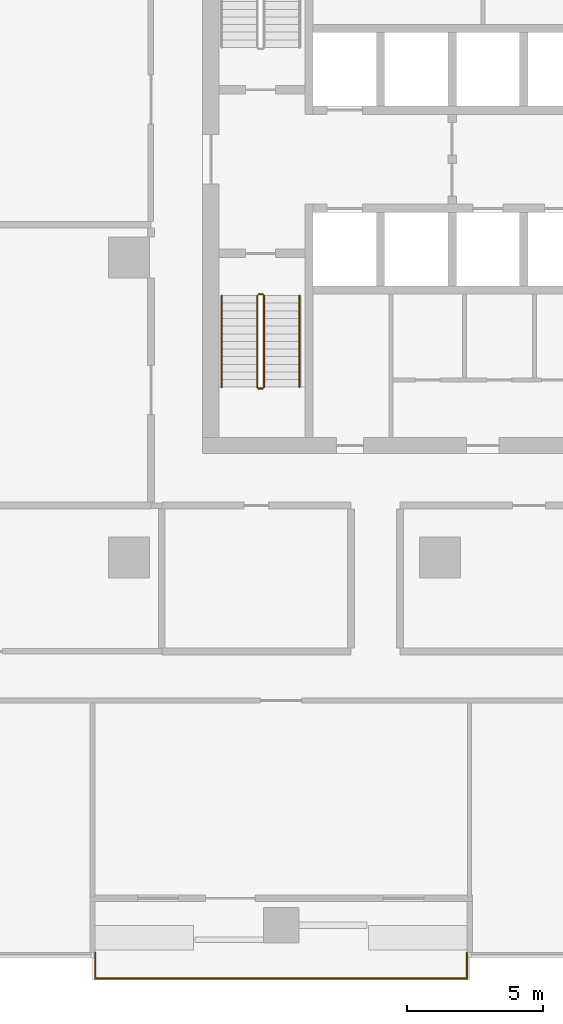
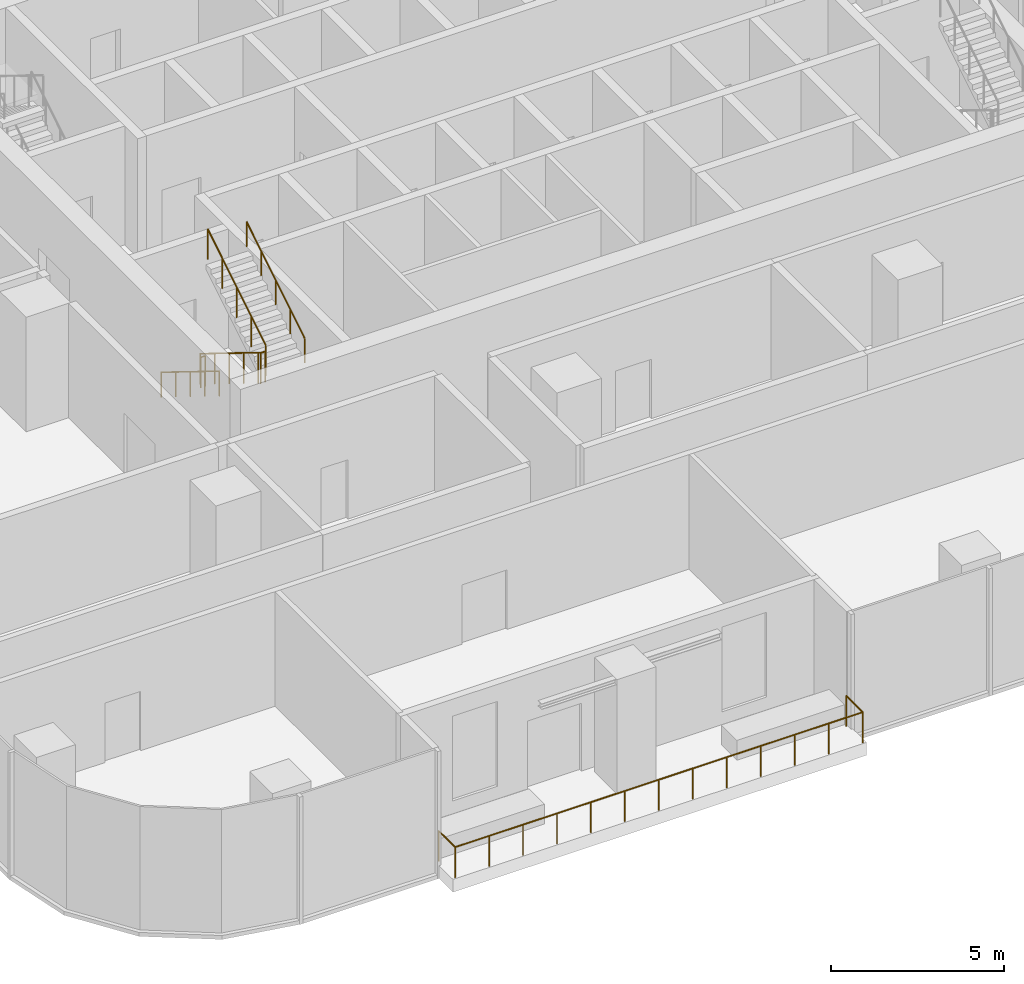
# One storey, part 12 of 14: 6 railings.
"""IFC4 building model written with IfcOpenShell, lengths in metres."""

from ifc_helpers import new_model, si_unit, direction, frame, origin, origin_2d, place, context, subcontext, project, spatial, circle, extrude, material, type_object, element, save


model = new_model("IFC4")

# Units and contexts
model_context = context("Model", 3, precision=1e-05, world=origin(), true_north=direction((0.0, 1.0)))
body_context = subcontext(model_context, "Body", "Model", "MODEL_VIEW")
ifc_project = project(units=[si_unit("LENGTHUNIT", "METRE"), si_unit("AREAUNIT", "SQUARE_METRE"), si_unit("VOLUMEUNIT", "CUBIC_METRE"), si_unit("PLANEANGLEUNIT", "RADIAN"), si_unit("MASSUNIT", "GRAM", prefix="KILO")], contexts=[model_context])

# Site, building, storey
site_placement = place(None, origin())
site = spatial("IfcSite", under=ifc_project, at=site_placement, CompositionType="ELEMENT")
building_placement = place(site_placement, origin())
building = spatial("IfcBuilding", under=site, at=building_placement, Name="Mopane Tessera Tower", CompositionType="ELEMENT")
storey_placement = place(building_placement, frame((0.0, 0.0, 130.60009765625)))
storey = spatial("IfcBuildingStorey", under=building, at=storey_placement, Name="L26", CompositionType="ELEMENT", Elevation=130.60009765625)

# Railings
ifc_material_1 = material(Name="Powder-coated steel balustrade", Category="steel")
railing_type_1 = type_object("IfcRailingType", Name="Escape stair guard 1100 mm", PredefinedType="GUARDRAIL", material=ifc_material_1)
railing_1_placement = place(storey_placement, frame((-12.39990234375, -1.39990234375, 0.173095703125)))
element("IfcRailing", 1, at=railing_1_placement, inside=storey, type_object=railing_type_1, Name="L26 ST1 stair guard 1", PredefinedType="GUARDRAIL", context=body_context, shape_type="SweptSolid", body=[
    extrude(circle(Radius=0.02392578125, at=origin_2d()), frame((0.0, 0.0, 1.076171875), z_axis=(0.0, -0.850623216509, 0.525775754039), x_axis=(1.0, 0.0, 0.0)), (0.0, 0.0, 1.0), 3.9501953125),
    extrude(circle(Radius=0.02392578125, at=origin_2d()), frame((0.0, -3.360107421875, 3.15283203125), z_axis=(0.705375805398, -0.708833529934, 0.0), x_axis=(0.708833529934, 0.705375805398, 0.0)), (0.0, 0.0, 1.0), 0.070556640625),
    extrude(circle(Radius=0.02392578125, at=origin_2d()), frame((0.0498046875, -3.41015625, 3.15283203125), z_axis=(1.0, 0.0, 0.0), x_axis=(0.0, 1.0, 0.0)), (0.0, 0.0, 1.0), 0.150146484375),
    extrude(circle(Radius=0.02099609375, at=origin_2d()), origin(), (0.0, 0.0, 1.0), 1.052001953125),
    extrude(circle(Radius=0.02099609375, at=origin_2d()), frame((0.0, -0.840087890625, 0.519287109375)), (0.0, 0.0, 1.0), 1.052001953125),
    extrude(circle(Radius=0.02099609375, at=origin_2d()), frame((0.0, -1.68017578125, 1.03857421875)), (0.0, 0.0, 1.0), 1.052001953125),
    extrude(circle(Radius=0.02099609375, at=origin_2d()), frame((0.0, -2.52001953125, 1.5576171875)), (0.0, 0.0, 1.0), 1.052001953125),
    extrude(circle(Radius=0.02099609375, at=origin_2d()), frame((0.0, -3.360107421875, 2.076904296875)), (0.0, 0.0, 1.0), 1.052001953125),
    extrude(circle(Radius=0.02099609375, at=origin_2d()), frame((0.0498046875, -3.41015625, 2.076904296875)), (0.0, 0.0, 1.0), 1.052001953125),
    extrude(circle(Radius=0.02099609375, at=origin_2d()), frame((0.199951171875, -3.41015625, 2.076904296875)), (0.0, 0.0, 1.0), 1.052001953125),
])
railing_2_placement = place(storey_placement, frame((-12.14990234375, -4.760009765625, 2.423095703125)))
element("IfcRailing", 2, at=railing_2_placement, inside=storey, type_object=railing_type_1, Name="L26 ST1 stair guard 2", PredefinedType="GUARDRAIL", context=body_context, shape_type="SweptSolid", body=[
    extrude(circle(Radius=0.02392578125, at=origin_2d()), frame((0.0, 0.0, 1.076171875), z_axis=(0.0, 0.850623216509, 0.525775754039), x_axis=(-1.0, 0.0, 0.0)), (0.0, 0.0, 1.0), 3.9501953125),
    extrude(circle(Radius=0.02099609375, at=origin_2d()), origin(), (0.0, 0.0, 1.0), 1.052001953125),
    extrude(circle(Radius=0.02099609375, at=origin_2d()), frame((0.0, 0.840087890625, 0.519287109375)), (0.0, 0.0, 1.0), 1.052001953125),
    extrude(circle(Radius=0.02099609375, at=origin_2d()), frame((0.0, 1.68017578125, 1.03857421875)), (0.0, 0.0, 1.0), 1.052001953125),
    extrude(circle(Radius=0.02099609375, at=origin_2d()), frame((0.0, 2.52001953125, 1.5576171875)), (0.0, 0.0, 1.0), 1.052001953125),
    extrude(circle(Radius=0.02099609375, at=origin_2d()), frame((0.0, 3.360107421875, 2.076904296875)), (0.0, 0.0, 1.0), 1.052001953125),
])
railing_3_placement = place(storey_placement, frame((-12.35009765625, -1.35009765625, 0.0)))
element("IfcRailing", 3, at=railing_3_placement, inside=storey, type_object=railing_type_1, Name="L26 ST1 stair guard 3", PredefinedType="GUARDRAIL", context=body_context, shape_type="SweptSolid", body=[
    extrude(circle(Radius=0.02392578125, at=origin_2d()), frame((0.0, 0.0, 1.076171875), z_axis=(1.0, 0.0, 0.0), x_axis=(0.0, 1.0, 0.0)), (0.0, 0.0, 1.0), 0.150146484375),
    extrude(circle(Radius=0.02099609375, at=origin_2d()), origin(), (0.0, 0.0, 1.0), 1.052001953125),
    extrude(circle(Radius=0.02099609375, at=origin_2d()), frame((0.150146484375, 0.0, 0.0)), (0.0, 0.0, 1.0), 1.052001953125),
])
ifc_material_2 = material(Name="Powder-coated steel balustrade", Category="steel")
railing_type_2 = type_object("IfcRailingType", Name="Escape stair handrail 900 mm", PredefinedType="HANDRAIL", material=ifc_material_2)
railing_4_placement = place(storey_placement, frame((-13.699951171875, -1.39990234375, 0.173095703125)))
element("IfcRailing", 4, at=railing_4_placement, inside=storey, type_object=railing_type_2, Name="L26 ST1 stair handrail 1", PredefinedType="HANDRAIL", context=body_context, shape_type="SweptSolid", body=[
    extrude(circle(Radius=0.02392578125, at=origin_2d()), frame((0.0, 0.0, 0.8759765625), z_axis=(0.0, -0.850623216509, 0.525775754039), x_axis=(1.0, 0.0, 0.0)), (0.0, 0.0, 1.0), 3.9501953125),
    extrude(circle(Radius=0.02099609375, at=origin_2d()), origin(), (0.0, 0.0, 1.0), 0.851806640625),
    extrude(circle(Radius=0.02099609375, at=origin_2d()), frame((0.0, -0.840087890625, 0.519287109375)), (0.0, 0.0, 1.0), 0.851806640625),
    extrude(circle(Radius=0.02099609375, at=origin_2d()), frame((0.0, -1.68017578125, 1.03857421875)), (0.0, 0.0, 1.0), 0.851806640625),
    extrude(circle(Radius=0.02099609375, at=origin_2d()), frame((0.0, -2.52001953125, 1.5576171875)), (0.0, 0.0, 1.0), 0.851806640625),
    extrude(circle(Radius=0.02099609375, at=origin_2d()), frame((0.0, -3.360107421875, 2.076904296875)), (0.0, 0.0, 1.0), 0.851806640625),
])
railing_5_placement = place(storey_placement, frame((-10.85009765625, -4.760009765625, 2.423095703125)))
element("IfcRailing", 5, at=railing_5_placement, inside=storey, type_object=railing_type_2, Name="L26 ST1 stair handrail 2", PredefinedType="HANDRAIL", context=body_context, shape_type="SweptSolid", body=[
    extrude(circle(Radius=0.02392578125, at=origin_2d()), frame((0.0, 0.0, 0.8759765625), z_axis=(0.0, 0.850623216509, 0.525775754039), x_axis=(-1.0, 0.0, 0.0)), (0.0, 0.0, 1.0), 3.9501953125),
    extrude(circle(Radius=0.02099609375, at=origin_2d()), origin(), (0.0, 0.0, 1.0), 0.851806640625),
    extrude(circle(Radius=0.02099609375, at=origin_2d()), frame((0.0, 0.840087890625, 0.519287109375)), (0.0, 0.0, 1.0), 0.851806640625),
    extrude(circle(Radius=0.02099609375, at=origin_2d()), frame((0.0, 1.68017578125, 1.03857421875)), (0.0, 0.0, 1.0), 0.851806640625),
    extrude(circle(Radius=0.02099609375, at=origin_2d()), frame((0.0, 2.52001953125, 1.5576171875)), (0.0, 0.0, 1.0), 0.851806640625),
    extrude(circle(Radius=0.02099609375, at=origin_2d()), frame((0.0, 3.360107421875, 2.076904296875)), (0.0, 0.0, 1.0), 0.851806640625),
])
ifc_material_3 = material(Name="Stainless steel S316", Category="steel")
railing_type_3 = type_object("IfcRailingType", Name="Terrace guard 1100", PredefinedType="GUARDRAIL", material=ifc_material_3)
railing_6_placement = place(storey_placement, frame((-18.340087890625, -25.5, 0.0)))
element("IfcRailing", 6, at=railing_6_placement, inside=storey, type_object=railing_type_3, Name="e:nw:L26:N2:guard", PredefinedType="GUARDRAIL", context=body_context, shape_type="SweptSolid", body=[
    extrude(circle(Radius=0.02392578125, at=origin_2d()), frame((0.0, 0.0, 1.076171875), z_axis=(0.0, -1.0, 0.0), x_axis=(1.0, 0.0, 0.0)), (0.0, 0.0, 1.0), 0.949951171875),
    extrude(circle(Radius=0.02392578125, at=origin_2d()), frame((0.0, -0.949951171875, 1.076171875), z_axis=(1.0, 0.0, 0.0), x_axis=(0.0, 1.0, 0.0)), (0.0, 0.0, 1.0), 13.630126953125),
    extrude(circle(Radius=0.02392578125, at=origin_2d()), frame((13.630126953125, -0.949951171875, 1.076171875), z_axis=(0.0, 1.0, 0.0), x_axis=(-1.0, 0.0, 0.0)), (0.0, 0.0, 1.0), 0.949951171875),
    extrude(circle(Radius=0.02099609375, at=origin_2d()), origin(), (0.0, 0.0, 1.0), 1.052001953125),
    extrude(circle(Radius=0.02099609375, at=origin_2d()), frame((0.0, -0.949951171875, 0.0)), (0.0, 0.0, 1.0), 1.052001953125),
    extrude(circle(Radius=0.02099609375, at=origin_2d()), frame((1.1357421875, -0.949951171875, 0.0)), (0.0, 0.0, 1.0), 1.052001953125),
    extrude(circle(Radius=0.02099609375, at=origin_2d()), frame((2.271728515625, -0.949951171875, 0.0)), (0.0, 0.0, 1.0), 1.052001953125),
    extrude(circle(Radius=0.02099609375, at=origin_2d()), frame((3.407470703125, -0.949951171875, 0.0)), (0.0, 0.0, 1.0), 1.052001953125),
    extrude(circle(Radius=0.02099609375, at=origin_2d()), frame((4.54345703125, -0.949951171875, 0.0)), (0.0, 0.0, 1.0), 1.052001953125),
    extrude(circle(Radius=0.02099609375, at=origin_2d()), frame((5.67919921875, -0.949951171875, 0.0)), (0.0, 0.0, 1.0), 1.052001953125),
    extrude(circle(Radius=0.02099609375, at=origin_2d()), frame((6.81494140625, -0.949951171875, 0.0)), (0.0, 0.0, 1.0), 1.052001953125),
    extrude(circle(Radius=0.02099609375, at=origin_2d()), frame((7.950927734375, -0.949951171875, 0.0)), (0.0, 0.0, 1.0), 1.052001953125),
    extrude(circle(Radius=0.02099609375, at=origin_2d()), frame((9.086669921875, -0.949951171875, 0.0)), (0.0, 0.0, 1.0), 1.052001953125),
    extrude(circle(Radius=0.02099609375, at=origin_2d()), frame((10.22265625, -0.949951171875, 0.0)), (0.0, 0.0, 1.0), 1.052001953125),
    extrude(circle(Radius=0.02099609375, at=origin_2d()), frame((11.3583984375, -0.949951171875, 0.0)), (0.0, 0.0, 1.0), 1.052001953125),
    extrude(circle(Radius=0.02099609375, at=origin_2d()), frame((12.494384765625, -0.949951171875, 0.0)), (0.0, 0.0, 1.0), 1.052001953125),
    extrude(circle(Radius=0.02099609375, at=origin_2d()), frame((13.630126953125, -0.949951171875, 0.0)), (0.0, 0.0, 1.0), 1.052001953125),
    extrude(circle(Radius=0.02099609375, at=origin_2d()), frame((13.630126953125, 0.0, 0.0)), (0.0, 0.0, 1.0), 1.052001953125),
])

save(model, "model.ifc")
